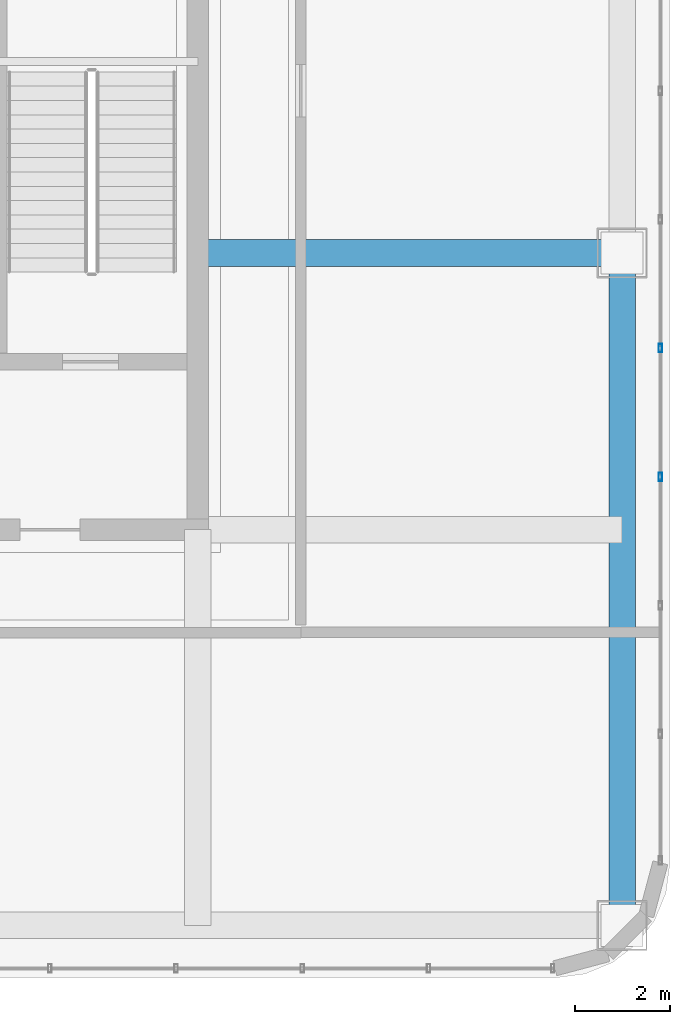
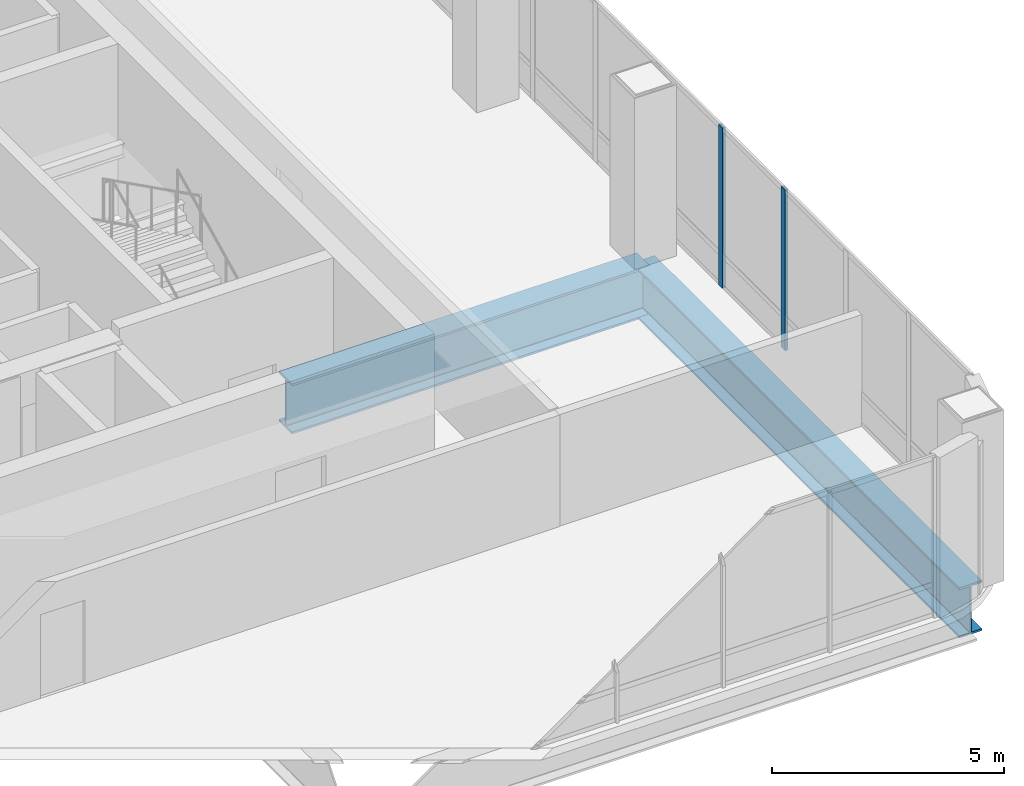
# One storey, part 15 of 33: 2 beams, 2 members, 1 element without a shape of its own.
"""IFC4 building model written with IfcOpenShell, lengths in metres."""

import ifcopenshell
import ifcopenshell.guid

model = None  # the IFC model being written
_history = None  # IfcOwnerHistory: only IFC2X3 demands one
_inside = {}  # id of a spatial element -> (the spatial element, [elements in it])
_under = {}  # id of a project, library or spatial element -> (it, [spatial elements below it])
_declared = {}  # id of a project -> (the project, [libraries it declares])
_typed = {}  # id of a type object -> (the type object, [elements of that type])
_made_of = {}  # id of a material, layer set ... -> (it, [elements and type objects made of it])


def new_model(schema):
    """Start an empty IFC model of exactly this schema.

    Asked for "IFC4X3", IfcOpenShell would pick the latest addendum, in which some entities
    have other attributes; the version numbers below select the first issue.
    IFC2X3 requires an IfcOwnerHistory on every rooted entity: one is made here for all.
    """
    global model, _history
    if schema == "IFC4X3":
        model = ifcopenshell.file(schema_version=(4, 3, 0, 0))
    else:
        model = ifcopenshell.file(schema=schema)
    _inside.clear()
    _under.clear()
    _declared.clear()
    _typed.clear()
    _made_of.clear()
    _history = None
    if model.schema == "IFC2X3":
        org = make("IfcOrganization", Name="unknown")
        user = make(
            "IfcPersonAndOrganization",
            ThePerson=make("IfcPerson", FamilyName="unknown"),
            TheOrganization=org,
        )
        app = make(
            "IfcApplication",
            ApplicationDeveloper=org,
            Version="unknown",
            ApplicationFullName="unknown",
            ApplicationIdentifier="unknown",
        )
        _history = make(
            "IfcOwnerHistory",
            OwningUser=user,
            OwningApplication=app,
            ChangeAction="ADDED",
            CreationDate=0,
        )
    return model


def make(cls, **values):
    """One entity of the class cls with the attributes given. An attribute that is None is left unset."""
    return model.create_entity(
        cls, **{name: value for name, value in values.items() if value is not None}
    )


def rooted(cls, **values):
    """An entity with a GlobalId (a new one), such as an element, a storey or a relation."""
    return make(cls, GlobalId=ifcopenshell.guid.new(), OwnerHistory=_history, **values)


def si_unit(unit_type, name, prefix=None):
    """IfcSIUnit, for example si_unit("LENGTHUNIT", "METRE", prefix="MILLI")."""
    return make("IfcSIUnit", UnitType=unit_type, Prefix=prefix, Name=name)


def assignment(units):
    """IfcUnitAssignment: the units of a project."""
    return None if units is None else make("IfcUnitAssignment", Units=units)


def point(xyz):
    """IfcCartesianPoint."""
    return None if xyz is None else make("IfcCartesianPoint", Coordinates=xyz)


def direction(xyz):
    """IfcDirection."""
    return None if xyz is None else make("IfcDirection", DirectionRatios=xyz)


def frame(location, z_axis=None, x_axis=None):
    """IfcAxis2Placement3D, a coordinate frame: its origin and axes. An axis left out is left unset."""
    return make(
        "IfcAxis2Placement3D",
        Location=point(location),
        Axis=direction(z_axis),
        RefDirection=direction(x_axis),
    )


def frame_2d(location, x_axis=None):
    """IfcAxis2Placement2D, a coordinate frame in the plane: its origin and x axis."""
    return make(
        "IfcAxis2Placement2D", Location=point(location), RefDirection=direction(x_axis)
    )


def origin():
    """The frame at (0, 0, 0) with its axes left unset."""
    return frame((0.0, 0.0, 0.0))


def origin_2d():
    """The frame at (0, 0) in the plane with its x axis left unset."""
    return frame_2d((0.0, 0.0))


def place(relative_to, where):
    """IfcLocalPlacement: puts the frame where relative to a parent placement (None: the world)."""
    return make(
        "IfcLocalPlacement", PlacementRelTo=relative_to, RelativePlacement=where
    )


def context(
    kind, dimensions, precision=None, world=None, true_north=None, identifier=None
):
    """IfcGeometricRepresentationContext, for example the 3D "Model" context."""
    return make(
        "IfcGeometricRepresentationContext",
        ContextIdentifier=identifier,
        ContextType=kind,
        CoordinateSpaceDimension=dimensions,
        Precision=precision,
        WorldCoordinateSystem=world,
        TrueNorth=true_north,
    )


def subcontext(parent, identifier, kind, view, scale=None):
    """IfcGeometricRepresentationSubContext, for example "Body" below "Model"."""
    return make(
        "IfcGeometricRepresentationSubContext",
        ContextIdentifier=identifier,
        ContextType=kind,
        ParentContext=parent,
        TargetScale=scale,
        TargetView=view,
    )


def project(units=None, contexts=None):
    """IfcProject with its units and contexts."""
    return rooted(
        "IfcProject",
        Name="project",
        RepresentationContexts=contexts,
        UnitsInContext=assignment(units),
    )


def spatial(cls, under=None, at=None, **own):
    """A site, building, storey or space (cls), placed at a placement, below another one or the project."""
    s = rooted(cls, ObjectPlacement=at, **own)
    if under is not None:
        _under.setdefault(under.id(), (under, []))[1].append(s)
    return s


def profile(cls, at=None, kind="AREA", **sizes):
    """A parametric profile (cls). Its sizes go by their IFC names, for example OverallWidth=200.0."""
    return make(cls, ProfileType=kind, Position=at, **sizes)


def hollow_rectangle(**sizes):
    """IfcRectangleHollowProfileDef."""
    return profile("IfcRectangleHollowProfileDef", **sizes)


def i_section(**sizes):
    """IfcIShapeProfileDef."""
    return profile("IfcIShapeProfileDef", **sizes)


def extrude(swept, where, along, depth):
    """IfcExtrudedAreaSolid: the profile swept, set in the frame where, extruded along a direction by depth."""
    return make(
        "IfcExtrudedAreaSolid",
        SweptArea=swept,
        Position=where,
        ExtrudedDirection=direction(along),
        Depth=depth,
    )


def shape(context_of_items, identifier, shape_type, items):
    """IfcShapeRepresentation: the items that make up one representation, for example the "Body"."""
    return make(
        "IfcShapeRepresentation",
        ContextOfItems=context_of_items,
        RepresentationIdentifier=identifier,
        RepresentationType=shape_type,
        Items=items,
    )


def material(Name=None, Category=None):
    """IfcMaterial."""
    return make("IfcMaterial", Name=Name, Category=Category)


def material_profile(
    of_material, cross_section, Name=None, Category=None, Priority=None
):
    """IfcMaterialProfile: a cross section and its material."""
    return make(
        "IfcMaterialProfile",
        Name=Name,
        Material=of_material,
        Profile=cross_section,
        Priority=Priority,
        Category=Category,
    )


def profile_set(profiles, Name=None, composite=None):
    """IfcMaterialProfileSet."""
    return make(
        "IfcMaterialProfileSet",
        Name=Name,
        MaterialProfiles=profiles,
        CompositeProfile=composite,
    )


def made_of(thing, what):
    """Note that an element or type object is made of a material, layer set ...; save() writes the relation."""
    if what is not None:
        _made_of.setdefault(what.id(), (what, []))[1].append(thing)
    return thing


def type_object(cls, material=None, **own):
    """A type object (cls), such as IfcWallType, which elements share."""
    return made_of(rooted(cls, **own), material)


def element(
    cls,
    number,
    at=None,
    inside=None,
    cuts=None,
    type_object=None,
    material=None,
    context=None,
    identifier="Body",
    shape_type=None,
    held_by="IfcProductDefinitionShape",
    body=None,
    shapes=None,
    **own,
):
    """One element of the class cls, such as IfcWall. Its Tag is "e" and its number.

    at: its placement. inside: the storey or other place that contains it. cuts: it is an
    opening in that element (IfcRelVoidsElement). A single representation is given by context,
    identifier, shape_type and body (its items); several are given by shapes. held_by: the class
    of the entity that holds the representations. save() writes the other relations.
    """
    e = rooted(cls, Tag="e%d" % number, ObjectPlacement=at, **own)
    if body is not None:
        shapes = [shape(context, identifier, shape_type, body)]
    if shapes is not None:
        e.Representation = make(held_by, Representations=shapes)
    if inside is not None:
        _inside.setdefault(inside.id(), (inside, []))[1].append(e)
    if cuts is not None:
        rooted(
            "IfcRelVoidsElement", RelatingBuildingElement=cuts, RelatedOpeningElement=e
        )
    if type_object is not None:
        _typed.setdefault(type_object.id(), (type_object, []))[1].append(e)
    return made_of(e, material)


def aggregate(whole, parts):
    """IfcRelAggregates: a whole, such as a stair, and the parts it consists of."""
    return rooted("IfcRelAggregates", RelatingObject=whole, RelatedObjects=parts)


def save(model, path):
    """Write the relations noted so far, then the file.

    IfcRelAggregates (storeys below a building ...), IfcRelContainedInSpatialStructure (elements
    in a storey), IfcRelDefinesByType, IfcRelAssociatesMaterial and IfcRelDeclares: one each for
    every whole, place, type object, material and project.
    """
    for whole, parts in _under.values():
        aggregate(whole, parts)
    for where, things in _inside.values():
        rooted(
            "IfcRelContainedInSpatialStructure",
            RelatedElements=things,
            RelatingStructure=where,
        )
    for kind, things in _typed.values():
        rooted("IfcRelDefinesByType", RelatedObjects=things, RelatingType=kind)
    for what, things in _made_of.values():
        rooted("IfcRelAssociatesMaterial", RelatedObjects=things, RelatingMaterial=what)
    for by, libraries in _declared.values():
        rooted("IfcRelDeclares", RelatingContext=by, RelatedDefinitions=libraries)
    model.write(path)


model = new_model("IFC4")

# Units and contexts
model_context = context("Model", 3, precision=1e-05, world=origin(), true_north=direction((0.0, 1.0)))
body_context = subcontext(model_context, "Body", "Model", "MODEL_VIEW")
ifc_project = project(units=[si_unit("LENGTHUNIT", "METRE"), si_unit("AREAUNIT", "SQUARE_METRE"), si_unit("VOLUMEUNIT", "CUBIC_METRE"), si_unit("PLANEANGLEUNIT", "RADIAN"), si_unit("MASSUNIT", "GRAM", prefix="KILO")], contexts=[model_context])

# Site, building, storey
site_placement = place(None, origin())
site = spatial("IfcSite", under=ifc_project, at=site_placement, CompositionType="ELEMENT")
building_placement = place(site_placement, origin())
building = spatial("IfcBuilding", under=site, at=building_placement, Name="Punatoya Terracotta Tower", CompositionType="ELEMENT")
storey_placement = place(building_placement, frame((0.0, 0.0, 348.300048828125)))
storey = spatial("IfcBuildingStorey", under=building, at=storey_placement, Name="L82", CompositionType="ELEMENT", Elevation=348.300048828125)

# Beams
ifc_material_1 = material(Name="Steel S460", Category="steel")
ifc_material_profile_1 = material_profile(ifc_material_1, i_section(OverallWidth=0.56005859375, OverallDepth=1.320068359375, WebThickness=0.035888671875, FlangeThickness=0.054931640625, FilletRadius=0.01806640625, at=origin_2d()))
ifc_profile_set_1 = profile_set([ifc_material_profile_1], Name="Steel S460")
beam_type = type_object("IfcBeamType", Name="BM-TG-BLK", PredefinedType="BEAM", material=ifc_profile_set_1)
beam_1_placement = place(storey_placement, frame((19.10009765625, -17.5, -0.880126953125), z_axis=(0.0, 1.0, 0.0), x_axis=(-1.0, 0.0, 0.0)))
element("IfcBeam", 1, at=beam_1_placement, inside=storey, type_object=beam_type, Name="BM-L82-RG-E1", PredefinedType="BEAM", context=body_context, shape_type="SweptSolid", body=[
    extrude(i_section(OverallWidth=0.56005859375, OverallDepth=1.320068359375, WebThickness=0.035888671875, FlangeThickness=0.054931640625, FilletRadius=0.01806640625, at=origin_2d()), origin(), (0.0, 0.0, 1.0), 14.10009765625),
])
beam_2_placement = place(storey_placement, frame((10.199951171875, -3.39990234375, -0.880126953125), z_axis=(1.0, 0.0, 0.0), x_axis=(0.0, 1.0, 0.0)))
element("IfcBeam", 2, at=beam_2_placement, inside=storey, type_object=beam_type, Name="BM-L82-PR-ED", PredefinedType="BEAM", context=body_context, shape_type="SweptSolid", body=[
    extrude(i_section(OverallWidth=0.56005859375, OverallDepth=1.320068359375, WebThickness=0.035888671875, FlangeThickness=0.054931640625, FilletRadius=0.01806640625, at=origin_2d()), origin(), (0.0, 0.0, 1.0), 8.900146484375),
])

# Curtain wall, members
ifc_material_2 = material(Name="Aluminium 6063-T6 + Double Low-E Glass", Category="aluminium")
curtain_wall_type = type_object("IfcCurtainWallType", Name="CW-CRN", PredefinedType="NOTDEFINED", material=ifc_material_2)
curtain_wall_placement = place(storey_placement, origin())
curtain_wall = element("IfcCurtainWall", 3, at=curtain_wall_placement, inside=storey, type_object=curtain_wall_type, Name="L82 Curtain Wall CW-L82-E05-1", PredefinedType="NOTDEFINED")
ifc_material_3 = material(Name="Aluminium 6063-T6", Category="aluminium")
ifc_material_profile_2 = material_profile(ifc_material_3, hollow_rectangle(XDim=0.070068359375, YDim=0.179931640625, WallThickness=0.00390625, at=origin_2d()))
ifc_profile_set_2 = profile_set([ifc_material_profile_2], Name="Aluminium 6063-T6")
member_type = type_object("IfcMemberType", Name="CW-MUL-M3", PredefinedType="MULLION", material=ifc_profile_set_2)
member_1_placement = place(storey_placement, frame((19.89990234375, -8.093505859375, 0.0), z_axis=(0.0, 0.0, 1.0), x_axis=(1.0, 0.0, 0.0)))
member_1 = element("IfcMember", 4, at=member_1_placement, type_object=member_type, Name="CW-L82-E05-1 Mullion 03", PredefinedType="MULLION", context=body_context, shape_type="SweptSolid", body=[
    extrude(hollow_rectangle(XDim=0.070068359375, YDim=0.179931640625, WallThickness=0.00390625, at=origin_2d()), origin(), (0.0, 0.0, 1.0), 4.219970703125),
])
member_2_placement = place(storey_placement, frame((19.89990234375, -5.3955078125, 0.0), z_axis=(0.0, 0.0, 1.0), x_axis=(1.0, 0.0, 0.0)))
member_2 = element("IfcMember", 5, at=member_2_placement, type_object=member_type, Name="CW-L82-E05-1 Mullion 04", PredefinedType="MULLION", context=body_context, shape_type="SweptSolid", body=[
    extrude(hollow_rectangle(XDim=0.070068359375, YDim=0.179931640625, WallThickness=0.00390625, at=origin_2d()), origin(), (0.0, 0.0, 1.0), 4.219970703125),
])
aggregate(curtain_wall, [member_1, member_2])

save(model, "model.ifc")
